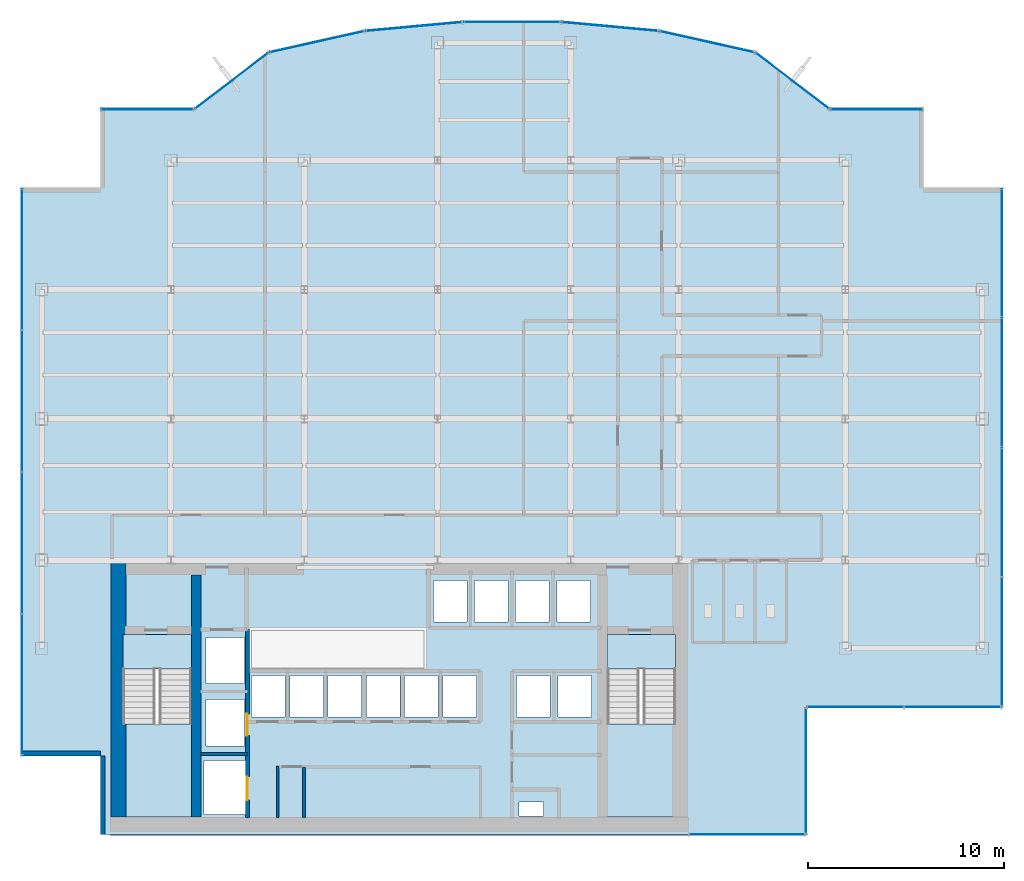
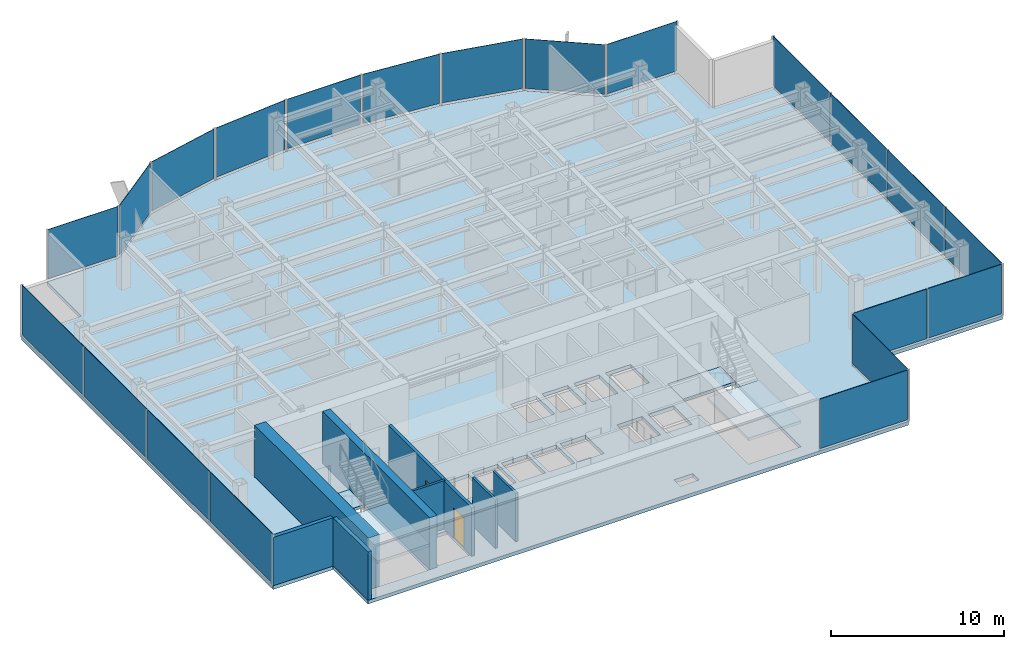
# One storey, part 19 of 25: 21 plates, 8 walls, 5 slabs, 2 doors, 2 openings, 16 elements without a shape of their own.
"""IFC4 building model written with IfcOpenShell, lengths in metres."""

from ifc_helpers import new_model, si_unit, derived_unit, direction, frame, frame_2d, origin, origin_2d, place, context, subcontext, project, spatial, polyline, rectangle, outline, extrude, source, transform, mapped, material, layer, layer_set, type_object, element, fill, aggregate, save


model = new_model("IFC4")

# Units and contexts
model_context = context("Model", 3, precision=1e-05, world=origin(), true_north=direction((0.0, 1.0)))
body_context = subcontext(model_context, "Body", "Model", "MODEL_VIEW")
ifc_project = project(units=[si_unit("LENGTHUNIT", "METRE"), si_unit("AREAUNIT", "SQUARE_METRE"), si_unit("VOLUMEUNIT", "CUBIC_METRE"), si_unit("PLANEANGLEUNIT", "RADIAN"), si_unit("MASSUNIT", "GRAM", prefix="KILO"), derived_unit("THERMALTRANSMITTANCEUNIT", [(si_unit("POWERUNIT", "WATT"), 1), (si_unit("LENGTHUNIT", "METRE"), -2), (si_unit("THERMODYNAMICTEMPERATUREUNIT", "KELVIN"), -1)])], contexts=[model_context])

# Site, building, storey
site_placement = place(None, origin())
site = spatial("IfcSite", under=ifc_project, at=site_placement, CompositionType="ELEMENT")
building_placement = place(site_placement, origin())
building = spatial("IfcBuilding", under=site, at=building_placement, Name="Skarnbrae Concourse Arena and Tower", CompositionType="ELEMENT")
storey_placement = place(building_placement, frame((0.0, 0.0, 151.550048828125)))
storey = spatial("IfcBuildingStorey", under=building, at=storey_placement, Name="L38", CompositionType="ELEMENT", Elevation=151.550048828125)

# Stair, slab
ifc_material_1 = material(Name="Concrete 40 MPa (C40/50)", Category="concrete")
stair_type = type_object("IfcStairType", Name="STAIR-DOGLEG-1650", PredefinedType="HALF_TURN_STAIR", material=ifc_material_1)
stair_1_placement = place(storey_placement, origin())
stair_1 = element("IfcStair", 1, at=stair_1_placement, inside=storey, type_object=stair_type, Name="L38 Protected Exit Stair ST-1", PredefinedType="HALF_TURN_STAIR")
ifc_layer_1 = layer(ifc_material_1, 0.199951171875)
ifc_layer_set_1 = layer_set([ifc_layer_1], Name="Concrete 40 MPa (C40/50)")
slab_type_1 = type_object("IfcSlabType", Name="SLAB-LANDING-200", PredefinedType="LANDING", material=ifc_layer_set_1)
slab_1_placement = place(storey_placement, frame((0.0, 0.0, 1.625)))
slab_1 = element("IfcSlab", 2, at=slab_1_placement, type_object=slab_type_1, Name="ST-1 landing 1", PredefinedType="LANDING", context=body_context, shape_type="SweptSolid", body=[
    extrude(outline(polyline([(5.14990234375, 5.64990234375), (5.14990234375, 0.89990234375), (8.64990234375, 0.89990234375), (8.64990234375, 5.64990234375), (5.14990234375, 5.64990234375)])), origin(), (0.0, 0.0, 1.0), 0.199951171875),
])
aggregate(stair_1, [slab_1])

stair_2_placement = place(storey_placement, origin())
stair_2 = element("IfcStair", 3, at=stair_2_placement, inside=storey, type_object=stair_type, Name="L38 Protected Exit Stair ST-2", PredefinedType="HALF_TURN_STAIR")
slab_2_placement = place(storey_placement, frame((0.0, 0.0, 1.625)))
slab_2 = element("IfcSlab", 4, at=slab_2_placement, type_object=slab_type_1, Name="ST-2 landing 1", PredefinedType="LANDING", context=body_context, shape_type="SweptSolid", body=[
    extrude(outline(polyline([(29.85009765625, 5.64990234375), (29.85009765625, 0.89990234375), (33.35009765625, 0.89990234375), (33.35009765625, 5.64990234375), (29.85009765625, 5.64990234375)])), origin(), (0.0, 0.0, 1.0), 0.199951171875),
])
aggregate(stair_2, [slab_2])

# Slabs
slab_3_placement = place(storey_placement, frame((0.0, 0.0, -0.199951171875)))
element("IfcSlab", 5, at=slab_3_placement, inside=storey, type_object=slab_type_1, Name="L38 Core stair ST1 floor landing", PredefinedType="LANDING", context=body_context, shape_type="SweptSolid", body=[
    extrude(outline(polyline([(5.14990234375, 10.199951171875), (5.14990234375, 8.449951171875), (8.64990234375, 8.449951171875), (8.64990234375, 10.199951171875), (5.14990234375, 10.199951171875)])), origin(), (0.0, 0.0, 1.0), 0.199951171875),
])
slab_4_placement = place(storey_placement, frame((0.0, 0.0, -0.199951171875)))
element("IfcSlab", 6, at=slab_4_placement, inside=storey, type_object=slab_type_1, Name="L38 Core stair ST2 floor landing", PredefinedType="LANDING", context=body_context, shape_type="SweptSolid", body=[
    extrude(outline(polyline([(29.85009765625, 10.199951171875), (29.85009765625, 8.449951171875), (33.35009765625, 8.449951171875), (33.35009765625, 10.199951171875), (29.85009765625, 10.199951171875)])), origin(), (0.0, 0.0, 1.0), 0.199951171875),
])
ifc_layer_2 = layer(ifc_material_1, 0.25)
ifc_layer_set_2 = layer_set([ifc_layer_2], Name="Concrete 40 MPa (C40/50)")
slab_type_2 = type_object("IfcSlabType", Name="SLAB-TOWER-250", PredefinedType="FLOOR", material=ifc_layer_set_2)
slab_5_placement = place(storey_placement, frame((0.0, 0.0, -0.25)))
element("IfcSlab", 7, at=slab_5_placement, inside=storey, type_object=slab_type_2, Name="L38 Structural floor slab", PredefinedType="FLOOR", context=body_context, shape_type="SweptSolid", body=[
    extrude(outline(polyline([(4.0, 0.0), (40.0, 0.0), (40.0, 6.5), (50.0, 6.5), (50.0, 33.0), (46.0, 33.0), (46.0, 37.0), (41.199951171875, 37.0), (37.409423828125, 39.892578125), (32.51220703125, 40.98681640625), (27.51123046875, 41.445556640625), (22.48876953125, 41.445556640625), (17.48779296875, 40.98681640625), (12.590576171875, 39.892578125), (8.800048828125, 37.0), (4.0, 37.0), (4.0, 33.0), (0.0, 33.0), (0.0, 4.0), (4.0, 4.0), (4.0, 0.0)]), holes=[polyline([(9.294921875, 3.780029296875), (11.455078125, 3.780029296875), (11.455078125, 1.02001953125), (9.294921875, 1.02001953125), (9.294921875, 3.780029296875)]), polyline([(8.64990234375, 10.199951171875), (8.64990234375, 0.89990234375), (5.14990234375, 0.89990234375), (5.14990234375, 10.199951171875), (8.64990234375, 10.199951171875)]), polyline([(9.39501953125, 6.8798828125), (11.35498046875, 6.8798828125), (11.35498046875, 4.52001953125), (9.39501953125, 4.52001953125), (9.39501953125, 6.8798828125)]), polyline([(11.719970703125, 8.10498046875), (13.429931640625, 8.10498046875), (13.429931640625, 5.9951171875), (11.719970703125, 5.9951171875), (11.719970703125, 8.10498046875)]), polyline([(13.669921875, 8.10498046875), (15.3798828125, 8.10498046875), (15.3798828125, 5.9951171875), (13.669921875, 5.9951171875), (13.669921875, 8.10498046875)]), polyline([(15.6201171875, 8.10498046875), (17.330078125, 8.10498046875), (17.330078125, 5.9951171875), (15.6201171875, 5.9951171875), (15.6201171875, 8.10498046875)]), polyline([(17.570068359375, 8.10498046875), (19.280029296875, 8.10498046875), (19.280029296875, 5.9951171875), (17.570068359375, 5.9951171875), (17.570068359375, 8.10498046875)]), polyline([(21.22998046875, 8.10498046875), (21.22998046875, 5.9951171875), (19.52001953125, 5.9951171875), (19.52001953125, 8.10498046875), (21.22998046875, 8.10498046875)]), polyline([(11.35498046875, 10.054931640625), (11.35498046875, 7.695068359375), (9.39501953125, 7.695068359375), (9.39501953125, 10.054931640625), (11.35498046875, 10.054931640625)]), polyline([(25.35009765625, 1.669921875), (26.60009765625, 1.669921875), (26.60009765625, 0.949951171875), (25.35009765625, 0.949951171875), (25.35009765625, 1.669921875)]), polyline([(33.35009765625, 10.199951171875), (33.35009765625, 0.89990234375), (29.85009765625, 0.89990234375), (29.85009765625, 10.199951171875), (33.35009765625, 10.199951171875)]), polyline([(21.469970703125, 8.10498046875), (23.179931640625, 8.10498046875), (23.179931640625, 5.9951171875), (21.469970703125, 5.9951171875), (21.469970703125, 8.10498046875)]), polyline([(25.235107421875, 8.10498046875), (26.945068359375, 8.10498046875), (26.945068359375, 5.9951171875), (25.235107421875, 5.9951171875), (25.235107421875, 8.10498046875)]), polyline([(27.3349609375, 8.10498046875), (29.044921875, 8.10498046875), (29.044921875, 5.9951171875), (27.3349609375, 5.9951171875), (27.3349609375, 8.10498046875)]), polyline([(20.985107421875, 12.955078125), (22.695068359375, 12.955078125), (22.695068359375, 10.844970703125), (20.985107421875, 10.844970703125), (20.985107421875, 12.955078125)]), polyline([(23.0849609375, 12.955078125), (24.794921875, 12.955078125), (24.794921875, 10.844970703125), (23.0849609375, 10.844970703125), (23.0849609375, 12.955078125)]), polyline([(26.89501953125, 12.955078125), (26.89501953125, 10.844970703125), (25.18505859375, 10.844970703125), (25.18505859375, 12.955078125), (26.89501953125, 12.955078125)]), polyline([(28.9951171875, 12.955078125), (28.9951171875, 10.844970703125), (27.284912109375, 10.844970703125), (27.284912109375, 12.955078125), (28.9951171875, 12.955078125)])]), origin(), (0.0, 0.0, 1.0), 0.25),
])

# Curtain wall, plates
ifc_material_2 = material(Name="Bronze anodised aluminium 6063-T6", Category="aluminium")
curtain_wall_type_1 = type_object("IfcCurtainWallType", Name="CW-SYS-04-MIDZONE", PredefinedType="USERDEFINED", material=ifc_material_2)
curtain_wall_1_placement = place(storey_placement, origin())
curtain_wall_1 = element("IfcCurtainWall", 8, at=curtain_wall_1_placement, inside=storey, type_object=curtain_wall_type_1, Name="L38 Unitised curtain wall CW-L38-E03", ObjectType="UNITISED CURTAIN WALL", PredefinedType="USERDEFINED")
ifc_material_3 = material(Name="Low-E triple insulating glass", Category="glass")
ifc_layer_3 = layer(ifc_material_3, 0.031982421875)
ifc_layer_set_3 = layer_set([ifc_layer_3], Name="Low-E triple insulating glass")
plate_type_1 = type_object("IfcPlateType", Name="CWP-CW-04", PredefinedType="CURTAIN_PANEL", material=ifc_layer_set_3)
shared_shape_1 = source(origin(), body_context, "Body", "SweptSolid", [
    extrude(rectangle(XDim=4.887451171875, YDim=0.031982421875, at=origin_2d()), origin(), (0.0, 0.0, 1.0), 3.489990234375),
])
plate_1_placement = place(storey_placement, frame((42.518798828125, 6.5, 0.16015625), z_axis=(0.0, 0.0, 1.0), x_axis=(1.0, 0.0, 0.0)))
plate_1 = element("IfcPlate", 9, at=plate_1_placement, type_object=plate_type_1, Name="CW-L38-E03 Low-E Glazing Panel 1", PredefinedType="CURTAIN_PANEL", context=body_context, shape_type="MappedRepresentation", body=[
    mapped(shared_shape_1, transform((0.0, 0.0, 0.0))),
])
plate_2_placement = place(storey_placement, frame((47.481201171875, 6.5, 0.16015625), z_axis=(0.0, 0.0, 1.0), x_axis=(1.0, 0.0, 0.0)))
plate_2 = element("IfcPlate", 10, at=plate_2_placement, type_object=plate_type_1, Name="CW-L38-E03 Low-E Glazing Panel 2", PredefinedType="CURTAIN_PANEL", context=body_context, shape_type="MappedRepresentation", body=[
    mapped(shared_shape_1, transform((0.0, 0.0, 0.0))),
])
aggregate(curtain_wall_1, [plate_1, plate_2])

# Curtain wall, plate
curtain_wall_2_placement = place(storey_placement, origin())
curtain_wall_2 = element("IfcCurtainWall", 11, at=curtain_wall_2_placement, inside=storey, type_object=curtain_wall_type_1, Name="L38 Unitised curtain wall CW-L38-SE-SPINE", ObjectType="UNITISED CURTAIN WALL", PredefinedType="USERDEFINED")
shared_shape_2 = source(origin(), body_context, "Body", "SweptSolid", [
    extrude(rectangle(XDim=5.85009765625, YDim=0.031982421875, at=origin_2d()), origin(), (0.0, 0.0, 1.0), 3.489990234375),
])
plate_3_placement = place(storey_placement, frame((37.0, 0.0, 0.16015625), z_axis=(0.0, 0.0, 1.0), x_axis=(1.0, 0.0, 0.0)))
plate_3 = element("IfcPlate", 12, at=plate_3_placement, type_object=plate_type_1, Name="CW-L38-SE-SPINE Low-E Glazing Panel 1", PredefinedType="CURTAIN_PANEL", context=body_context, shape_type="MappedRepresentation", body=[
    mapped(shared_shape_2, transform((0.0, 0.0, 0.0))),
])
aggregate(curtain_wall_2, [plate_3])

curtain_wall_3_placement = place(storey_placement, origin())
curtain_wall_3 = element("IfcCurtainWall", 13, at=curtain_wall_3_placement, inside=storey, type_object=curtain_wall_type_1, Name="L38 Unitised curtain wall CW-L38-E02", ObjectType="UNITISED CURTAIN WALL", PredefinedType="USERDEFINED")
shared_shape_3 = source(origin(), body_context, "Body", "SweptSolid", [
    extrude(rectangle(XDim=6.35009765625, YDim=0.031982421875, at=origin_2d()), origin(), (0.0, 0.0, 1.0), 3.489990234375),
])
plate_4_placement = place(storey_placement, frame((40.0, 3.25, 0.16015625), z_axis=(0.0, 0.0, 1.0), x_axis=(0.0, 1.0, 0.0)))
plate_4 = element("IfcPlate", 14, at=plate_4_placement, type_object=plate_type_1, Name="CW-L38-E02 Low-E Glazing Panel 1", PredefinedType="CURTAIN_PANEL", context=body_context, shape_type="MappedRepresentation", body=[
    mapped(shared_shape_3, transform((0.0, 0.0, 0.0))),
])
aggregate(curtain_wall_3, [plate_4])

curtain_wall_4_placement = place(storey_placement, origin())
curtain_wall_4 = element("IfcCurtainWall", 15, at=curtain_wall_4_placement, inside=storey, type_object=curtain_wall_type_1, Name="L38 Unitised curtain wall CW-L38-E07", ObjectType="UNITISED CURTAIN WALL", PredefinedType="USERDEFINED")
shared_shape_4 = source(origin(), body_context, "Body", "SweptSolid", [
    extrude(rectangle(XDim=4.64990234375, YDim=0.031982421875, at=origin_2d()), origin(), (0.0, 0.0, 1.0), 3.489990234375),
])
plate_5_placement = place(storey_placement, frame((43.60009765625, 37.0, 0.16015625), z_axis=(0.0, 0.0, 1.0), x_axis=(-1.0, 0.0, 0.0)))
plate_5 = element("IfcPlate", 16, at=plate_5_placement, type_object=plate_type_1, Name="CW-L38-E07 Low-E Glazing Panel 1", PredefinedType="CURTAIN_PANEL", context=body_context, shape_type="MappedRepresentation", body=[
    mapped(shared_shape_4, transform((0.0, 0.0, 0.0))),
])
aggregate(curtain_wall_4, [plate_5])

curtain_wall_5_placement = place(storey_placement, origin())
curtain_wall_5 = element("IfcCurtainWall", 17, at=curtain_wall_5_placement, inside=storey, type_object=curtain_wall_type_1, Name="L38 Unitised curtain wall CW-L38-E15", ObjectType="UNITISED CURTAIN WALL", PredefinedType="USERDEFINED")
plate_6_placement = place(storey_placement, frame((6.39990234375, 37.0, 0.16015625), z_axis=(0.0, 0.0, 1.0), x_axis=(-1.0, 0.0, 0.0)))
plate_6 = element("IfcPlate", 18, at=plate_6_placement, type_object=plate_type_1, Name="CW-L38-E15 Low-E Glazing Panel 1", PredefinedType="CURTAIN_PANEL", context=body_context, shape_type="MappedRepresentation", body=[
    mapped(shared_shape_4, transform((0.0, 0.0, 0.0))),
])
aggregate(curtain_wall_5, [plate_6])

curtain_wall_6_placement = place(storey_placement, origin())
curtain_wall_6 = element("IfcCurtainWall", 19, at=curtain_wall_6_placement, inside=storey, type_object=curtain_wall_type_1, Name="L38 Unitised curtain wall CW-L38-E08", ObjectType="UNITISED CURTAIN WALL", PredefinedType="USERDEFINED")
shared_shape_5 = source(origin(), body_context, "Body", "SweptSolid", [
    extrude(rectangle(XDim=4.6181640625, YDim=0.031982421875, at=origin_2d()), origin(), (0.0, 0.0, 1.0), 3.489990234375),
])
plate_7_placement = place(storey_placement, frame((39.3046875, 38.4462890625, 0.16015625), z_axis=(0.0, 0.0, 1.0), x_axis=(-0.794956000706, 0.606667089054, 0.0)))
plate_7 = element("IfcPlate", 20, at=plate_7_placement, type_object=plate_type_1, Name="CW-L38-E08 Low-E Glazing Panel 1", PredefinedType="CURTAIN_PANEL", context=body_context, shape_type="MappedRepresentation", body=[
    mapped(shared_shape_5, transform((0.0, 0.0, 0.0))),
])
aggregate(curtain_wall_6, [plate_7])

curtain_wall_7_placement = place(storey_placement, origin())
curtain_wall_7 = element("IfcCurtainWall", 21, at=curtain_wall_7_placement, inside=storey, type_object=curtain_wall_type_1, Name="L38 Unitised curtain wall CW-L38-E14", ObjectType="UNITISED CURTAIN WALL", PredefinedType="USERDEFINED")
plate_8_placement = place(storey_placement, frame((10.6953125, 38.4462890625, 0.16015625), z_axis=(0.0, 0.0, 1.0), x_axis=(-0.794956000706, -0.606667089054, 0.0)))
plate_8 = element("IfcPlate", 22, at=plate_8_placement, type_object=plate_type_1, Name="CW-L38-E14 Low-E Glazing Panel 1", PredefinedType="CURTAIN_PANEL", context=body_context, shape_type="MappedRepresentation", body=[
    mapped(shared_shape_5, transform((0.0, 0.0, 0.0))),
])
aggregate(curtain_wall_7, [plate_8])

# Curtain wall, plates
curtain_wall_8_placement = place(storey_placement, origin())
curtain_wall_8 = element("IfcCurtainWall", 23, at=curtain_wall_8_placement, inside=storey, type_object=curtain_wall_type_1, Name="L38 Unitised curtain wall CW-L38-E18", ObjectType="UNITISED CURTAIN WALL", PredefinedType="USERDEFINED")
shared_shape_6 = source(origin(), body_context, "Body", "SweptSolid", [
    extrude(rectangle(XDim=7.137451171875, YDim=0.031982421875, at=origin_2d()), origin(), (0.0, 0.0, 1.0), 3.489990234375),
])
plate_9_placement = place(storey_placement, frame((0.0, 29.356201171875, 0.16015625), z_axis=(0.0, 0.0, 1.0), x_axis=(0.0, -1.0, 0.0)))
plate_9 = element("IfcPlate", 24, at=plate_9_placement, type_object=plate_type_1, Name="CW-L38-E18 Low-E Glazing Panel 1", PredefinedType="CURTAIN_PANEL", context=body_context, shape_type="MappedRepresentation", body=[
    mapped(shared_shape_6, transform((0.0, 0.0, 0.0))),
])
plate_10_placement = place(storey_placement, frame((0.0, 7.643798828125, 0.16015625), z_axis=(0.0, 0.0, 1.0), x_axis=(0.0, -1.0, 0.0)))
plate_10 = element("IfcPlate", 25, at=plate_10_placement, type_object=plate_type_1, Name="CW-L38-E18 Low-E Glazing Panel 4", PredefinedType="CURTAIN_PANEL", context=body_context, shape_type="MappedRepresentation", body=[
    mapped(shared_shape_6, transform((0.0, 0.0, 0.0))),
])
shared_shape_7 = source(origin(), body_context, "Body", "SweptSolid", [
    extrude(rectangle(XDim=7.175048828125, YDim=0.031982421875, at=origin_2d()), origin(), (0.0, 0.0, 1.0), 3.489990234375),
])
plate_11_placement = place(storey_placement, frame((0.0, 22.125, 0.16015625), z_axis=(0.0, 0.0, 1.0), x_axis=(0.0, -1.0, 0.0)))
plate_11 = element("IfcPlate", 26, at=plate_11_placement, type_object=plate_type_1, Name="CW-L38-E18 Low-E Glazing Panel 2", PredefinedType="CURTAIN_PANEL", context=body_context, shape_type="MappedRepresentation", body=[
    mapped(shared_shape_7, transform((0.0, 0.0, 0.0))),
])
plate_12_placement = place(storey_placement, frame((0.0, 14.875, 0.16015625), z_axis=(0.0, 0.0, 1.0), x_axis=(0.0, -1.0, 0.0)))
plate_12 = element("IfcPlate", 27, at=plate_12_placement, type_object=plate_type_1, Name="CW-L38-E18 Low-E Glazing Panel 3", PredefinedType="CURTAIN_PANEL", context=body_context, shape_type="MappedRepresentation", body=[
    mapped(shared_shape_7, transform((0.0, 0.0, 0.0))),
])
aggregate(curtain_wall_8, [plate_9, plate_11, plate_12, plate_10])

curtain_wall_9_placement = place(storey_placement, origin())
curtain_wall_9 = element("IfcCurtainWall", 28, at=curtain_wall_9_placement, inside=storey, type_object=curtain_wall_type_1, Name="L38 Unitised curtain wall CW-L38-E04", ObjectType="UNITISED CURTAIN WALL", PredefinedType="USERDEFINED")
shared_shape_8 = source(origin(), body_context, "Body", "SweptSolid", [
    extrude(rectangle(XDim=6.512451171875, YDim=0.031982421875, at=origin_2d()), origin(), (0.0, 0.0, 1.0), 3.489990234375),
])
plate_13_placement = place(storey_placement, frame((50.0, 9.831298828125, 0.16015625), z_axis=(0.0, 0.0, 1.0), x_axis=(0.0, 1.0, 0.0)))
plate_13 = element("IfcPlate", 29, at=plate_13_placement, type_object=plate_type_1, Name="CW-L38-E04 Low-E Glazing Panel 1", PredefinedType="CURTAIN_PANEL", context=body_context, shape_type="MappedRepresentation", body=[
    mapped(shared_shape_8, transform((0.0, 0.0, 0.0))),
])
plate_14_placement = place(storey_placement, frame((50.0, 29.668701171875, 0.16015625), z_axis=(0.0, 0.0, 1.0), x_axis=(0.0, 1.0, 0.0)))
plate_14 = element("IfcPlate", 30, at=plate_14_placement, type_object=plate_type_1, Name="CW-L38-E04 Low-E Glazing Panel 4", PredefinedType="CURTAIN_PANEL", context=body_context, shape_type="MappedRepresentation", body=[
    mapped(shared_shape_8, transform((0.0, 0.0, 0.0))),
])
shared_shape_9 = source(origin(), body_context, "Body", "SweptSolid", [
    extrude(rectangle(XDim=6.550048828125, YDim=0.031982421875, at=origin_2d()), origin(), (0.0, 0.0, 1.0), 3.489990234375),
])
plate_15_placement = place(storey_placement, frame((50.0, 16.4375, 0.16015625), z_axis=(0.0, 0.0, 1.0), x_axis=(0.0, 1.0, 0.0)))
plate_15 = element("IfcPlate", 31, at=plate_15_placement, type_object=plate_type_1, Name="CW-L38-E04 Low-E Glazing Panel 2", PredefinedType="CURTAIN_PANEL", context=body_context, shape_type="MappedRepresentation", body=[
    mapped(shared_shape_9, transform((0.0, 0.0, 0.0))),
])
plate_16_placement = place(storey_placement, frame((50.0, 23.0625, 0.16015625), z_axis=(0.0, 0.0, 1.0), x_axis=(0.0, 1.0, 0.0)))
plate_16 = element("IfcPlate", 32, at=plate_16_placement, type_object=plate_type_1, Name="CW-L38-E04 Low-E Glazing Panel 3", PredefinedType="CURTAIN_PANEL", context=body_context, shape_type="MappedRepresentation", body=[
    mapped(shared_shape_9, transform((0.0, 0.0, 0.0))),
])
aggregate(curtain_wall_9, [plate_13, plate_15, plate_16, plate_14])

# Curtain wall, plate
curtain_wall_type_2 = type_object("IfcCurtainWallType", Name="CW-SYS-03-PORTAL", PredefinedType="USERDEFINED", material=ifc_material_2)
curtain_wall_10_placement = place(storey_placement, origin())
curtain_wall_10 = element("IfcCurtainWall", 33, at=curtain_wall_10_placement, inside=storey, type_object=curtain_wall_type_2, Name="L38 Unitised curtain wall CW-L38-E09", ObjectType="UNITISED CURTAIN WALL", PredefinedType="USERDEFINED")
ifc_layer_4 = layer(ifc_material_3, 0.033935546875)
ifc_layer_set_4 = layer_set([ifc_layer_4], Name="Low-E triple insulating glass")
plate_type_2 = type_object("IfcPlateType", Name="CWP-CW-03", PredefinedType="CURTAIN_PANEL", material=ifc_layer_set_4)
shared_shape_10 = source(origin(), body_context, "Body", "SweptSolid", [
    extrude(rectangle(XDim=4.85791015625, YDim=0.033935546875, at=origin_2d()), origin(), (0.0, 0.0, 1.0), 3.47998046875),
])
plate_17_placement = place(storey_placement, frame((34.9609375, 40.439697265625, 0.169921875), z_axis=(0.0, 0.0, 1.0), x_axis=(-0.975936175393, 0.218056372433, 0.0)))
plate_17 = element("IfcPlate", 34, at=plate_17_placement, type_object=plate_type_2, Name="CW-L38-E09 Low-E Glazing Panel 1", PredefinedType="CURTAIN_PANEL", context=body_context, shape_type="MappedRepresentation", body=[
    mapped(shared_shape_10, transform((0.0, 0.0, 0.0))),
])
aggregate(curtain_wall_10, [plate_17])

curtain_wall_11_placement = place(storey_placement, origin())
curtain_wall_11 = element("IfcCurtainWall", 35, at=curtain_wall_11_placement, inside=storey, type_object=curtain_wall_type_2, Name="L38 Unitised curtain wall CW-L38-E13", ObjectType="UNITISED CURTAIN WALL", PredefinedType="USERDEFINED")
plate_18_placement = place(storey_placement, frame((15.0390625, 40.439697265625, 0.169921875), z_axis=(0.0, 0.0, 1.0), x_axis=(-0.975936175393, -0.218056372433, 0.0)))
plate_18 = element("IfcPlate", 36, at=plate_18_placement, type_object=plate_type_2, Name="CW-L38-E13 Low-E Glazing Panel 1", PredefinedType="CURTAIN_PANEL", context=body_context, shape_type="MappedRepresentation", body=[
    mapped(shared_shape_10, transform((0.0, 0.0, 0.0))),
])
aggregate(curtain_wall_11, [plate_18])

curtain_wall_12_placement = place(storey_placement, origin())
curtain_wall_12 = element("IfcCurtainWall", 37, at=curtain_wall_12_placement, inside=storey, type_object=curtain_wall_type_2, Name="L38 Unitised curtain wall CW-L38-E10", ObjectType="UNITISED CURTAIN WALL", PredefinedType="USERDEFINED")
shared_shape_11 = source(origin(), body_context, "Body", "SweptSolid", [
    extrude(rectangle(XDim=4.862060546875, YDim=0.033935546875, at=origin_2d()), origin(), (0.0, 0.0, 1.0), 3.47998046875),
])
plate_19_placement = place(storey_placement, frame((30.01171875, 41.21630859375, 0.169921875), z_axis=(0.0, 0.0, 1.0), x_axis=(-0.995819926016, 0.091338244731, 0.0)))
plate_19 = element("IfcPlate", 38, at=plate_19_placement, type_object=plate_type_2, Name="CW-L38-E10 Low-E Glazing Panel 1", PredefinedType="CURTAIN_PANEL", context=body_context, shape_type="MappedRepresentation", body=[
    mapped(shared_shape_11, transform((0.0, 0.0, 0.0))),
])
aggregate(curtain_wall_12, [plate_19])

curtain_wall_13_placement = place(storey_placement, origin())
curtain_wall_13 = element("IfcCurtainWall", 39, at=curtain_wall_13_placement, inside=storey, type_object=curtain_wall_type_2, Name="L38 Unitised curtain wall CW-L38-E12", ObjectType="UNITISED CURTAIN WALL", PredefinedType="USERDEFINED")
plate_20_placement = place(storey_placement, frame((19.98828125, 41.21630859375, 0.169921875), z_axis=(0.0, 0.0, 1.0), x_axis=(-0.995819926016, -0.091338244731, 0.0)))
plate_20 = element("IfcPlate", 40, at=plate_20_placement, type_object=plate_type_2, Name="CW-L38-E12 Low-E Glazing Panel 1", PredefinedType="CURTAIN_PANEL", context=body_context, shape_type="MappedRepresentation", body=[
    mapped(shared_shape_11, transform((0.0, 0.0, 0.0))),
])
aggregate(curtain_wall_13, [plate_20])

curtain_wall_14_placement = place(storey_placement, origin())
curtain_wall_14 = element("IfcCurtainWall", 41, at=curtain_wall_14_placement, inside=storey, type_object=curtain_wall_type_2, Name="L38 Unitised curtain wall CW-L38-E11", ObjectType="UNITISED CURTAIN WALL", PredefinedType="USERDEFINED")
shared_shape_12 = source(origin(), body_context, "Body", "SweptSolid", [
    extrude(rectangle(XDim=4.862548828125, YDim=0.033935546875, at=origin_2d()), origin(), (0.0, 0.0, 1.0), 3.47998046875),
])
plate_21_placement = place(storey_placement, frame((25.0, 41.445556640625, 0.169921875), z_axis=(0.0, 0.0, 1.0), x_axis=(-1.0, 0.0, 0.0)))
plate_21 = element("IfcPlate", 42, at=plate_21_placement, type_object=plate_type_2, Name="CW-L38-E11 Low-E Glazing Panel 1", PredefinedType="CURTAIN_PANEL", context=body_context, shape_type="MappedRepresentation", body=[
    mapped(shared_shape_12, transform((0.0, 0.0, 0.0))),
])
aggregate(curtain_wall_14, [plate_21])

# Walls
ifc_material_4 = material(Name="Concrete 60 MPa (C60/75)", Category="concrete")
ifc_layer_5 = layer(ifc_material_4, 0.75)
ifc_layer_set_5 = layer_set([ifc_layer_5], Name="Concrete 60 MPa (C60/75)")
wall_type_1 = type_object("IfcWallType", Name="WALL-CORE-750-C60", PredefinedType="SHEAR", material=ifc_layer_set_5)
shared_shape_13 = source(origin(), body_context, "Body", "SweptSolid", [
    extrude(rectangle(XDim=13.10009765625, YDim=0.75, at=frame_2d((6.550048828125, 0.0))), origin(), (0.0, 0.0, 1.0), 3.64990234375),
])
wall_1_placement = place(storey_placement, frame((4.925048828125, 0.89990234375, 0.0), z_axis=(0.0, 0.0, 1.0), x_axis=(0.0, 1.0, 0.0)))
element("IfcWall", 43, at=wall_1_placement, inside=storey, type_object=wall_type_1, Name="L38 Rear core shear wall CW-W", PredefinedType="SHEAR", context=body_context, shape_type="MappedRepresentation", body=[
    mapped(shared_shape_13, transform((0.0, 0.0, 0.0))),
])
ifc_layer_6 = layer(ifc_material_4, 0.5)
ifc_layer_set_6 = layer_set([ifc_layer_6], Name="Concrete 60 MPa (C60/75)")
wall_type_2 = type_object("IfcWallType", Name="WALL-CORE-500-C60", PredefinedType="SHEAR", material=ifc_layer_set_6)
shared_shape_14 = source(origin(), body_context, "Body", "SweptSolid", [
    extrude(rectangle(XDim=12.35009765625, YDim=0.5, at=frame_2d((6.175048828125, 0.0))), origin(), (0.0, 0.0, 1.0), 3.64990234375),
])
wall_2_placement = place(storey_placement, frame((8.889892578125, 0.89990234375, 0.0), z_axis=(0.0, 0.0, 1.0), x_axis=(0.0, 1.0, 0.0)))
element("IfcWall", 44, at=wall_2_placement, inside=storey, type_object=wall_type_2, Name="L38 Rear core shear wall CW-WEB-W", PredefinedType="SHEAR", context=body_context, shape_type="MappedRepresentation", body=[
    mapped(shared_shape_14, transform((0.0, 0.0, 0.0))),
])
ifc_material_5 = material(Name="Precast concrete 40 MPa (C40/50)", Category="concrete")
ifc_layer_7 = layer(ifc_material_5, 0.25)
ifc_layer_set_7 = layer_set([ifc_layer_7], Name="Precast concrete 40 MPa (C40/50)")
wall_type_3 = type_object("IfcWallType", Name="WALL-EXT-SPANDREL-250", PredefinedType="STANDARD", material=ifc_layer_set_7)
shared_shape_15 = source(origin(), body_context, "Body", "SweptSolid", [
    extrude(rectangle(XDim=4.0, YDim=0.25, at=frame_2d((2.0, 0.0))), origin(), (0.0, 0.0, 1.0), 3.39990234375),
])
for number, where, z_axis, x_axis, name in (
    (45, (0.0, 4.125, 0.0), (0.0, 0.0, 1.0), (1.0, 0.0, 0.0), "L38 Notched corner insulated return wall 19"),
    (46, (4.125, 4.0, 0.0), (0.0, 0.0, 1.0), (0.0, -1.0, 0.0), "L38 Notched corner insulated return wall 20"),
):
    element("IfcWall", number, at=place(storey_placement, frame(where, z_axis=z_axis, x_axis=x_axis)), inside=storey, type_object=wall_type_3, Name=name, PredefinedType="STANDARD", context=body_context, shape_type="MappedRepresentation", body=[
        mapped(shared_shape_15, transform((0.0, 0.0, 0.0))),
    ])

# Wall, openings, doors
ifc_material_6 = material(Name="Gypsum board on cold-formed steel studs", Category="steel")
ifc_layer_8 = layer(ifc_material_6, 0.199951171875)
ifc_layer_set_8 = layer_set([ifc_layer_8], Name="Gypsum board on cold-formed steel studs")
wall_type_4 = type_object("IfcWallType", Name="WALL-PART-200-2HR", PredefinedType="PARTITIONING", material=ifc_layer_set_8)
shared_shape_16 = source(origin(), body_context, "Body", "SweptSolid", [
    extrude(rectangle(XDim=9.599853515625, YDim=0.199951171875, at=frame_2d((4.7998046875, 0.0))), origin(), (0.0, 0.0, 1.0), 3.39990234375),
])
wall_3_placement = place(storey_placement, frame((11.5, 0.85009765625, 0.0), z_axis=(0.0, 0.0, 1.0), x_axis=(0.0, 1.0, 0.0)))
wall_3 = element("IfcWall", 47, at=wall_3_placement, inside=storey, type_object=wall_type_4, Name="L38 Interior partition wall W-L38-FL-E", PredefinedType="PARTITIONING", context=body_context, shape_type="MappedRepresentation", body=[
    mapped(shared_shape_16, transform((0.0, 0.0, 0.0))),
])
opening_1_placement = place(wall_3_placement, frame((4.199951171875, 0.0, 0.0)))
opening_1 = element("IfcOpeningElement", 48, at=opening_1_placement, cuts=wall_3, Name="Opening LD-01", PredefinedType="OPENING", context=body_context, shape_type="SweptSolid", body=[
    extrude(rectangle(XDim=1.10009765625, YDim=2.14990234375, at=frame_2d((0.550048828125, 1.074951171875))), frame((0.0, 0.10986328125, 0.0), z_axis=(0.0, -1.0, 0.0), x_axis=(1.0, 0.0, 0.0)), (0.0, 0.0, 1.0), 0.219970703125),
])
opening_2_placement = place(wall_3_placement, frame((0.89990234375, 0.0, 0.0)))
opening_2 = element("IfcOpeningElement", 49, at=opening_2_placement, cuts=wall_3, Name="Opening LD-02", PredefinedType="OPENING", context=body_context, shape_type="SweptSolid", body=[
    extrude(rectangle(XDim=1.199951171875, YDim=2.14990234375, at=frame_2d((0.60009765625, 1.074951171875))), frame((0.0, 0.10986328125, 0.0), z_axis=(0.0, -1.0, 0.0), x_axis=(1.0, 0.0, 0.0)), (0.0, 0.0, 1.0), 0.219970703125),
])
ifc_material_7 = material(Name="Steel CSA G40.21 350W", Category="steel")
door_type_1 = type_object("IfcDoorType", Name="DOOR-LIFT-SLIDE-1100", OperationType="SLIDING_TO_LEFT", PredefinedType="DOOR", material=ifc_material_7)
shared_shape_17 = source(origin(), body_context, "Body", "SweptSolid", [
    extrude(rectangle(XDim=1.10009765625, YDim=2.14990234375, at=frame_2d((0.550048828125, 1.074951171875))), frame((0.0, 0.02490234375, 0.0), z_axis=(0.0, -1.0, 0.0), x_axis=(1.0, 0.0, 0.0)), (0.0, 0.0, 1.0), 0.050048828125),
])
door_1_placement = place(opening_1_placement, frame((1.10009765625, 0.0, 0.0), z_axis=(0.0, 0.0, 1.0), x_axis=(-1.0, 0.0, 0.0)))
door_1 = element("IfcDoor", 50, at=door_1_placement, inside=storey, type_object=door_type_1, Name="D-1185 Firefighting Lift Landing Door FL-02", OperationType="SLIDING_TO_LEFT", OverallHeight=2.14990234375, OverallWidth=1.10009765625, PredefinedType="DOOR", context=body_context, shape_type="MappedRepresentation", body=[
    mapped(shared_shape_17, transform((0.0, 0.0, 0.0))),
])
fill(opening_1, door_1)
door_type_2 = type_object("IfcDoorType", Name="DOOR-LIFT-SLIDE-1200", OperationType="SLIDING_TO_LEFT", PredefinedType="DOOR", material=ifc_material_7)
shared_shape_18 = source(origin(), body_context, "Body", "SweptSolid", [
    extrude(rectangle(XDim=1.199951171875, YDim=2.14990234375, at=frame_2d((0.60009765625, 1.074951171875))), frame((0.0, 0.02490234375, 0.0), z_axis=(0.0, -1.0, 0.0), x_axis=(1.0, 0.0, 0.0)), (0.0, 0.0, 1.0), 0.050048828125),
])
door_2_placement = place(opening_2_placement, frame((1.199951171875, 0.0, 0.0), z_axis=(0.0, 0.0, 1.0), x_axis=(-1.0, 0.0, 0.0)))
door_2 = element("IfcDoor", 51, at=door_2_placement, inside=storey, type_object=door_type_2, Name="D-1186 Service Lift Landing Door SV-01", OperationType="SLIDING_TO_LEFT", OverallHeight=2.14990234375, OverallWidth=1.199951171875, PredefinedType="DOOR", context=body_context, shape_type="MappedRepresentation", body=[
    mapped(shared_shape_18, transform((0.0, 0.0, 0.0))),
])
fill(opening_2, door_2)

# Walls
ifc_layer_9 = layer(ifc_material_6, 0.14990234375)
ifc_layer_set_9 = layer_set([ifc_layer_9], Name="Gypsum board on cold-formed steel studs")
wall_type_5 = type_object("IfcWallType", Name="WALL-PART-150", PredefinedType="PARTITIONING", material=ifc_layer_set_9)
shared_shape_19 = source(origin(), body_context, "Body", "SweptSolid", [
    extrude(rectangle(XDim=2.39990234375, YDim=0.14990234375, at=frame_2d((1.199951171875, 0.0))), origin(), (0.0, 0.0, 1.0), 3.39990234375),
])
wall_4_placement = place(storey_placement, frame((9.10009765625, 4.10009765625, 0.0), z_axis=(0.0, 0.0, 1.0), x_axis=(1.0, 0.0, 0.0)))
element("IfcWall", 52, at=wall_4_placement, inside=storey, type_object=wall_type_5, Name="L38 Interior partition wall W-L38-FL-D1", PredefinedType="PARTITIONING", context=body_context, shape_type="MappedRepresentation", body=[
    mapped(shared_shape_19, transform((0.0, 0.0, 0.0))),
])
shared_shape_20 = source(origin(), body_context, "Body", "SweptSolid", [
    extrude(rectangle(XDim=2.599853515625, YDim=0.14990234375, at=frame_2d((1.2998046875, 0.0))), origin(), (0.0, 0.0, 1.0), 3.39990234375),
])
wall_5_placement = place(storey_placement, frame((14.39990234375, 0.85009765625, 0.0), z_axis=(0.0, 0.0, 1.0), x_axis=(0.0, 1.0, 0.0)))
element("IfcWall", 53, at=wall_5_placement, inside=storey, type_object=wall_type_5, Name="L38 Interior partition wall W-L38-B1M-C1", PredefinedType="PARTITIONING", context=body_context, shape_type="MappedRepresentation", body=[
    mapped(shared_shape_20, transform((0.0, 0.0, 0.0))),
])
ifc_layer_10 = layer(ifc_material_6, 0.14990234375)
ifc_layer_set_10 = layer_set([ifc_layer_10], Name="Gypsum board on cold-formed steel studs")
wall_type_6 = type_object("IfcWallType", Name="WALL-PART-150-1HR", PredefinedType="PARTITIONING", material=ifc_layer_set_10)
shared_shape_21 = source(origin(), body_context, "Body", "SweptSolid", [
    extrude(rectangle(XDim=2.64990234375, YDim=0.14990234375, at=frame_2d((1.324951171875, 0.0))), origin(), (0.0, 0.0, 1.0), 3.39990234375),
])
wall_6_placement = place(storey_placement, frame((13.050048828125, 0.85009765625, 0.0), z_axis=(0.0, 0.0, 1.0), x_axis=(0.0, 1.0, 0.0)))
element("IfcWall", 54, at=wall_6_placement, inside=storey, type_object=wall_type_6, Name="L38 Interior partition wall W-L38-B1M-W", PredefinedType="PARTITIONING", context=body_context, shape_type="MappedRepresentation", body=[
    mapped(shared_shape_21, transform((0.0, 0.0, 0.0))),
])

save(model, "model.ifc")
